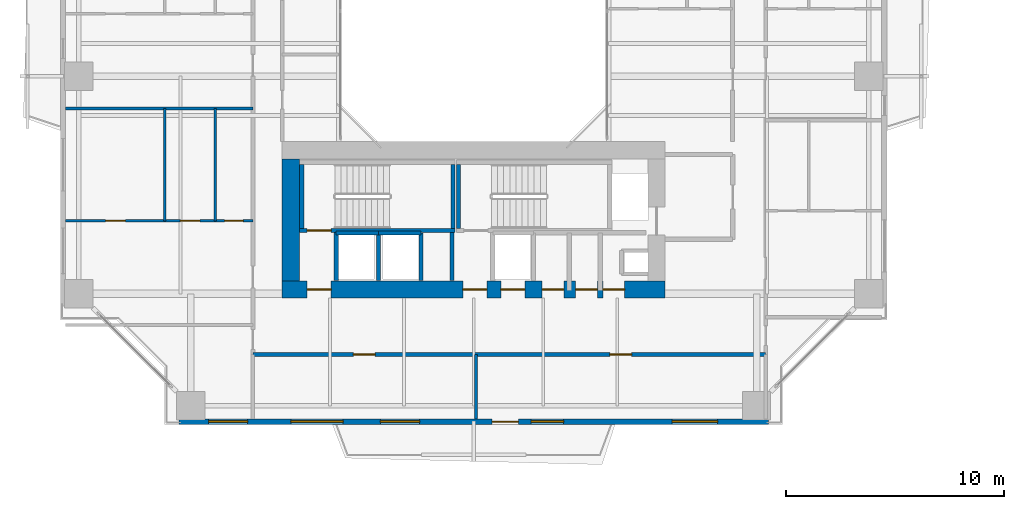
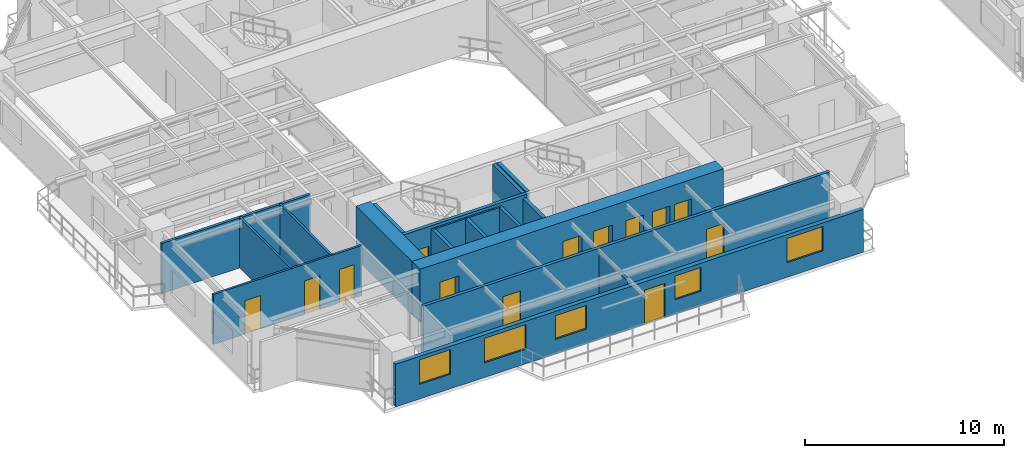
# One storey, part 12 of 24: 19 walls, 13 doors, 5 windows, 18 openings.
"""IFC4 building model written with IfcOpenShell, lengths in metres."""

from ifc_helpers import new_model, si_unit, direction, frame, frame_2d, origin, place, context, subcontext, project, spatial, rectangle, extrude, source, transform, mapped, material, layer, layer_set, type_object, element, fill, save


model = new_model("IFC4")

# Units and contexts
model_context = context("Model", 3, precision=1e-05, world=origin(), true_north=direction((0.0, 1.0)))
body_context = subcontext(model_context, "Body", "Model", "MODEL_VIEW")
ifc_project = project(units=[si_unit("LENGTHUNIT", "METRE"), si_unit("AREAUNIT", "SQUARE_METRE"), si_unit("VOLUMEUNIT", "CUBIC_METRE"), si_unit("PLANEANGLEUNIT", "RADIAN"), si_unit("MASSUNIT", "GRAM", prefix="KILO"), si_unit("THERMODYNAMICTEMPERATUREUNIT", "KELVIN"), si_unit("POWERUNIT", "WATT")], contexts=[model_context])

# Site, building, storey
site_placement = place(None, origin())
site = spatial("IfcSite", under=ifc_project, at=site_placement, CompositionType="ELEMENT")
building_placement = place(site_placement, origin())
building = spatial("IfcBuilding", under=site, at=building_placement, Name="Qiaomeng Ring Towers", CompositionType="ELEMENT")
storey_placement = place(building_placement, frame((0.0, 0.0, 36.0)))
storey = spatial("IfcBuildingStorey", under=building, at=storey_placement, Name="L09", CompositionType="ELEMENT", Elevation=36.0)

# Wall, openings, windows, door
ifc_material_1 = material(Name="Precast concrete C40", Category="concrete")
ifc_layer_1 = layer(ifc_material_1, 0.25, Name="Precast concrete C40")
ifc_layer_set_1 = layer_set([ifc_layer_1], Name="Precast concrete C40")
wall_type_1 = type_object("IfcWallType", Name="ARC-WL-EW1", PredefinedType="STANDARD", material=ifc_layer_set_1)
wall_1_placement = place(storey_placement, frame((5.449951171875, 4.125, 0.0), z_axis=(0.0, 0.0, 1.0), x_axis=(1.0, 0.0, 0.0)))
wall_1 = element("IfcWall", 1, at=wall_1_placement, inside=storey, type_object=wall_type_1, Name="L09 Tower 1 S Exterior Wall", PredefinedType="STANDARD", context=body_context, shape_type="SweptSolid", body=[
    extrude(rectangle(XDim=27.10009765625, YDim=0.25, at=frame_2d((13.550048828125, 0.0))), origin(), (0.0, 0.0, 1.0), 2.610107421875),
])
opening_1_placement = place(wall_1_placement, frame((14.39990234375, 0.0, 0.0)))
opening_1 = element("IfcOpeningElement", 2, at=opening_1_placement, cuts=wall_1, Name="Opening BD1", PredefinedType="OPENING", context=body_context, shape_type="SweptSolid", body=[
    extrude(rectangle(XDim=1.199951171875, YDim=2.10009765625, at=frame_2d((0.60009765625, 1.050048828125))), frame((0.0, 0.135009765625, 0.0), z_axis=(0.0, -1.0, 0.0), x_axis=(1.0, 0.0, 0.0)), (0.0, 0.0, 1.0), 0.27001953125),
])
opening_2_placement = place(wall_1_placement, frame((1.364990234375, 0.0, 0.89990234375)))
opening_2 = element("IfcOpeningElement", 3, at=opening_2_placement, cuts=wall_1, Name="Opening WN1", PredefinedType="OPENING", context=body_context, shape_type="SweptSolid", body=[
    extrude(rectangle(XDim=1.800048828125, YDim=1.5, at=frame_2d((0.89990234375, 0.75))), frame((0.0, 0.135009765625, 0.0), z_axis=(0.0, -1.0, 0.0), x_axis=(1.0, 0.0, 0.0)), (0.0, 0.0, 1.0), 0.27001953125),
])
opening_3_placement = place(wall_1_placement, frame((9.262939453125, 0.0, 0.89990234375)))
opening_3 = element("IfcOpeningElement", 4, at=opening_3_placement, cuts=wall_1, Name="Opening WN1", PredefinedType="OPENING", context=body_context, shape_type="SweptSolid", body=[
    extrude(rectangle(XDim=1.800048828125, YDim=1.449951171875, at=frame_2d((0.89990234375, 0.72509765625))), frame((0.0, 0.135009765625, 0.0), z_axis=(0.0, -1.0, 0.0), x_axis=(1.0, 0.0, 0.0)), (0.0, 0.0, 1.0), 0.27001953125),
])
opening_4_placement = place(wall_1_placement, frame((16.18798828125, 0.0, 0.89990234375)))
opening_4 = element("IfcOpeningElement", 5, at=opening_4_placement, cuts=wall_1, Name="Opening WN2", PredefinedType="OPENING", context=body_context, shape_type="SweptSolid", body=[
    extrude(rectangle(XDim=1.5, YDim=1.449951171875, at=frame_2d((0.75, 0.72509765625))), frame((0.0, 0.135009765625, 0.0), z_axis=(0.0, -1.0, 0.0), x_axis=(1.0, 0.0, 0.0)), (0.0, 0.0, 1.0), 0.27001953125),
])
opening_5_placement = place(wall_1_placement, frame((22.6630859375, 0.0, 0.89990234375)))
opening_5 = element("IfcOpeningElement", 6, at=opening_5_placement, cuts=wall_1, Name="Opening WN4", PredefinedType="OPENING", context=body_context, shape_type="SweptSolid", body=[
    extrude(rectangle(XDim=2.10009765625, YDim=1.47998046875, at=frame_2d((1.050048828125, 0.739990234375))), frame((0.0, 0.135009765625, 0.0), z_axis=(0.0, -1.0, 0.0), x_axis=(1.0, 0.0, 0.0)), (0.0, 0.0, 1.0), 0.27001953125),
])
opening_6_placement = place(wall_1_placement, frame((5.14892578125, 0.0, 0.89990234375)))
opening_6 = element("IfcOpeningElement", 7, at=opening_6_placement, cuts=wall_1, Name="Opening WN6", PredefinedType="OPENING", context=body_context, shape_type="SweptSolid", body=[
    extrude(rectangle(XDim=2.39990234375, YDim=1.5, at=frame_2d((1.199951171875, 0.75))), frame((0.0, 0.135009765625, 0.0), z_axis=(0.0, -1.0, 0.0), x_axis=(1.0, 0.0, 0.0)), (0.0, 0.0, 1.0), 0.27001953125),
])
ifc_material_2 = material(Name="Low-E dark-grey laminated double glazing", Category="glass")
window_type_1 = type_object("IfcWindowType", Name="ARC-WN-2", PartitioningType="DOUBLE_PANEL_VERTICAL", PredefinedType="WINDOW", material=ifc_material_2)
shared_shape_1 = source(origin(), body_context, "Body", "SweptSolid", [
    extrude(rectangle(XDim=1.5, YDim=1.449951171875, at=frame_2d((0.75, 0.72509765625))), frame((0.0, 0.030029296875, 0.0), z_axis=(0.0, -1.0, 0.0), x_axis=(1.0, 0.0, 0.0)), (0.0, 0.0, 1.0), 0.06005859375),
])
window_1_placement = place(opening_4_placement, origin())
window_1 = element("IfcWindow", 8, at=window_1_placement, inside=storey, type_object=window_type_1, Name="L09 Exterior Window WN2", OverallHeight=1.449951171875, OverallWidth=1.5, PartitioningType="DOUBLE_PANEL_VERTICAL", PredefinedType="WINDOW", context=body_context, shape_type="MappedRepresentation", body=[
    mapped(shared_shape_1, transform((0.0, 0.0, 0.0), x_axis=(1.0, 0.0, 0.0), y_axis=(0.0, 1.0, 0.0), z_axis=(0.0, 0.0, 1.0), scale=1.0)),
])
fill(opening_4, window_1)
window_type_2 = type_object("IfcWindowType", Name="ARC-WN-4", PartitioningType="TRIPLE_PANEL_VERTICAL", PredefinedType="WINDOW", material=ifc_material_2)
shared_shape_2 = source(origin(), body_context, "Body", "SweptSolid", [
    extrude(rectangle(XDim=2.10009765625, YDim=1.47998046875, at=frame_2d((1.050048828125, 0.739990234375))), frame((0.0, 0.030029296875, 0.0), z_axis=(0.0, -1.0, 0.0), x_axis=(1.0, 0.0, 0.0)), (0.0, 0.0, 1.0), 0.06005859375),
])
window_2_placement = place(opening_5_placement, origin())
window_2 = element("IfcWindow", 9, at=window_2_placement, inside=storey, type_object=window_type_2, Name="L09 Exterior Window WN4", OverallHeight=1.47998046875, OverallWidth=2.10009765625, PartitioningType="TRIPLE_PANEL_VERTICAL", PredefinedType="WINDOW", context=body_context, shape_type="MappedRepresentation", body=[
    mapped(shared_shape_2, transform((0.0, 0.0, 0.0), x_axis=(1.0, 0.0, 0.0), y_axis=(0.0, 1.0, 0.0), z_axis=(0.0, 0.0, 1.0), scale=1.0)),
])
fill(opening_5, window_2)
window_type_3 = type_object("IfcWindowType", Name="ARC-WN-1", PartitioningType="DOUBLE_PANEL_VERTICAL", PredefinedType="WINDOW", material=ifc_material_2)
shared_shape_3 = source(origin(), body_context, "Body", "SweptSolid", [
    extrude(rectangle(XDim=1.800048828125, YDim=1.449951171875, at=frame_2d((0.89990234375, 0.72509765625))), frame((0.0, 0.030029296875, 0.0), z_axis=(0.0, -1.0, 0.0), x_axis=(1.0, 0.0, 0.0)), (0.0, 0.0, 1.0), 0.06005859375),
])
window_3_placement = place(opening_3_placement, origin())
window_3 = element("IfcWindow", 10, at=window_3_placement, inside=storey, type_object=window_type_3, Name="L09 Exterior Window WN1", OverallHeight=1.449951171875, OverallWidth=1.800048828125, PartitioningType="DOUBLE_PANEL_VERTICAL", PredefinedType="WINDOW", context=body_context, shape_type="MappedRepresentation", body=[
    mapped(shared_shape_3, transform((0.0, 0.0, 0.0), x_axis=(1.0, 0.0, 0.0), y_axis=(0.0, 1.0, 0.0), z_axis=(0.0, 0.0, 1.0), scale=1.0)),
])
fill(opening_3, window_3)
door_type_1 = type_object("IfcDoorType", Name="ARC-DR-BD1", OperationType="NOTDEFINED", PredefinedType="DOOR", material=ifc_material_2)
shared_shape_4 = source(origin(), body_context, "Body", "SweptSolid", [
    extrude(rectangle(XDim=1.199951171875, YDim=2.10009765625, at=frame_2d((0.60009765625, 1.050048828125))), frame((0.0, 0.02490234375, 0.0), z_axis=(0.0, -1.0, 0.0), x_axis=(1.0, 0.0, 0.0)), (0.0, 0.0, 1.0), 0.050048828125),
])
door_1_placement = place(opening_1_placement, frame((1.199951171875, 0.0, 0.0), z_axis=(0.0, 0.0, 1.0), x_axis=(-1.0, 0.0, 0.0)))
door_1 = element("IfcDoor", 11, at=door_1_placement, inside=storey, type_object=door_type_1, Name="L09 S Balcony Glazed Door", OperationType="SINGLE_SWING_LEFT", OverallHeight=2.10009765625, OverallWidth=1.199951171875, PredefinedType="DOOR", context=body_context, shape_type="MappedRepresentation", body=[
    mapped(shared_shape_4, transform((0.0, 0.0, 0.0), x_axis=(1.0, 0.0, 0.0), y_axis=(0.0, 1.0, 0.0), z_axis=(0.0, 0.0, 1.0), scale=1.0)),
])
fill(opening_1, door_1)
window_type_4 = type_object("IfcWindowType", Name="ARC-WN-6", PartitioningType="TRIPLE_PANEL_VERTICAL", PredefinedType="WINDOW", material=ifc_material_2)
shared_shape_5 = source(origin(), body_context, "Body", "SweptSolid", [
    extrude(rectangle(XDim=2.39990234375, YDim=1.5, at=frame_2d((1.199951171875, 0.75))), frame((0.0, 0.030029296875, 0.0), z_axis=(0.0, -1.0, 0.0), x_axis=(1.0, 0.0, 0.0)), (0.0, 0.0, 1.0), 0.06005859375),
])
window_4_placement = place(opening_6_placement, origin())
window_4 = element("IfcWindow", 12, at=window_4_placement, inside=storey, type_object=window_type_4, Name="L09 Exterior Window WN6", OverallHeight=1.5, OverallWidth=2.39990234375, PartitioningType="TRIPLE_PANEL_VERTICAL", PredefinedType="WINDOW", context=body_context, shape_type="MappedRepresentation", body=[
    mapped(shared_shape_5, transform((0.0, 0.0, 0.0), x_axis=(1.0, 0.0, 0.0), y_axis=(0.0, 1.0, 0.0), z_axis=(0.0, 0.0, 1.0), scale=1.0)),
])
fill(opening_6, window_4)
shared_shape_6 = source(origin(), body_context, "Body", "SweptSolid", [
    extrude(rectangle(XDim=1.800048828125, YDim=1.5, at=frame_2d((0.89990234375, 0.75))), frame((0.0, 0.030029296875, 0.0), z_axis=(0.0, -1.0, 0.0), x_axis=(1.0, 0.0, 0.0)), (0.0, 0.0, 1.0), 0.06005859375),
])
window_5_placement = place(opening_2_placement, origin())
window_5 = element("IfcWindow", 13, at=window_5_placement, inside=storey, type_object=window_type_3, Name="L09 Exterior Window WN6", OverallHeight=1.5, OverallWidth=1.800048828125, PartitioningType="TRIPLE_PANEL_VERTICAL", PredefinedType="WINDOW", context=body_context, shape_type="MappedRepresentation", body=[
    mapped(shared_shape_6, transform((0.0, 0.0, 0.0), x_axis=(1.0, 0.0, 0.0), y_axis=(0.0, 1.0, 0.0), z_axis=(0.0, 0.0, 1.0), scale=1.0)),
])
fill(opening_2, window_5)

# Walls
ifc_material_3 = material(Name="Autoclaved aerated concrete block", Category="concrete")
ifc_layer_2 = layer(ifc_material_3, 0.199951171875, Name="Autoclaved aerated concrete block")
ifc_layer_set_2 = layer_set([ifc_layer_2], Name="Autoclaved aerated concrete block")
wall_type_2 = type_object("IfcWallType", Name="ARC-WL-PW1", PredefinedType="PARTITIONING", material=ifc_layer_set_2)
for number, where, z_axis, x_axis, name in (
    (14, (12.679931640625, 10.60009765625, 0.0), (0.0, 0.0, 1.0), (0.0, 1.0, 0.0), "L09 Interior Wall PW1"),
    (15, (18.0, 10.60009765625, 0.0), (0.0, 0.0, 1.0), (0.0, 1.0, 0.0), "L09 Interior Wall PW1"),
):
    element("IfcWall", number, at=place(storey_placement, frame(where, z_axis=z_axis, x_axis=x_axis)), inside=storey, type_object=wall_type_2, Name=name, PredefinedType="PARTITIONING", context=body_context, shape_type="SweptSolid", body=[
        extrude(rectangle(XDim=2.2099609375, YDim=0.199951171875, at=frame_2d((1.10498046875, 0.0))), origin(), (0.0, 0.0, 1.0), 3.070068359375),
    ])

# Wall, openings, doors
ifc_layer_3 = layer(ifc_material_3, 0.179931640625, Name="Autoclaved aerated concrete block")
ifc_layer_set_3 = layer_set([ifc_layer_3], Name="Autoclaved aerated concrete block")
wall_type_3 = type_object("IfcWallType", Name="ARC-WL-PW2", PredefinedType="PARTITIONING", material=ifc_layer_set_3)
wall_2_placement = place(storey_placement, frame((8.85009765625, 7.2099609375, 0.0), z_axis=(0.0, 0.0, 1.0), x_axis=(1.0, 0.0, 0.0)))
wall_2 = element("IfcWall", 16, at=wall_2_placement, inside=storey, type_object=wall_type_3, Name="L09 Interior Wall PW2", PredefinedType="PARTITIONING", context=body_context, shape_type="SweptSolid", body=[
    extrude(rectangle(XDim=23.56982421875, YDim=0.179931640625, at=frame_2d((11.784912109375, 0.0))), origin(), (0.0, 0.0, 1.0), 3.070068359375),
])
opening_7_placement = place(wall_2_placement, frame((4.625, 0.0, 0.0)))
opening_7 = element("IfcOpeningElement", 17, at=opening_7_placement, cuts=wall_2, Name="Opening FD4", PredefinedType="OPENING", context=body_context, shape_type="SweptSolid", body=[
    extrude(rectangle(XDim=1.0, YDim=2.050048828125, at=frame_2d((0.5, 1.02490234375))), frame((0.0, 0.099853515625, 0.0), z_axis=(0.0, -1.0, 0.0), x_axis=(1.0, 0.0, 0.0)), (0.0, 0.0, 1.0), 0.199951171875),
])
opening_8_placement = place(wall_2_placement, frame((16.409912109375, 0.0, 0.0)))
opening_8 = element("IfcOpeningElement", 18, at=opening_8_placement, cuts=wall_2, Name="Opening FD4", PredefinedType="OPENING", context=body_context, shape_type="SweptSolid", body=[
    extrude(rectangle(XDim=1.0, YDim=2.050048828125, at=frame_2d((0.5, 1.02490234375))), frame((0.0, 0.099853515625, 0.0), z_axis=(0.0, -1.0, 0.0), x_axis=(1.0, 0.0, 0.0)), (0.0, 0.0, 1.0), 0.199951171875),
])
ifc_material_4 = material(Name="Engineered fire-rated oak timber", Category="wood")
door_type_2 = type_object("IfcDoorType", Name="ARC-DR-FD4", OperationType="NOTDEFINED", PredefinedType="DOOR", material=ifc_material_4)
shared_shape_7 = source(origin(), body_context, "Body", "SweptSolid", [
    extrude(rectangle(XDim=1.0, YDim=2.050048828125, at=frame_2d((0.5, 1.02490234375))), frame((0.0, 0.02490234375, 0.0), z_axis=(0.0, -1.0, 0.0), x_axis=(1.0, 0.0, 0.0)), (0.0, 0.0, 1.0), 0.050048828125),
])
door_2_placement = place(opening_7_placement, origin())
door_2 = element("IfcDoor", 19, at=door_2_placement, inside=storey, type_object=door_type_2, Name="L09 Door FD4", OperationType="SINGLE_SWING_RIGHT", OverallHeight=2.050048828125, OverallWidth=1.0, PredefinedType="DOOR", context=body_context, shape_type="MappedRepresentation", body=[
    mapped(shared_shape_7, transform((0.0, 0.0, 0.0), x_axis=(1.0, 0.0, 0.0), y_axis=(0.0, 1.0, 0.0), z_axis=(0.0, 0.0, 1.0), scale=1.0)),
])
fill(opening_7, door_2)
door_3_placement = place(opening_8_placement, origin())
door_3 = element("IfcDoor", 20, at=door_3_placement, inside=storey, type_object=door_type_2, Name="L09 Door FD4", OperationType="SINGLE_SWING_LEFT", OverallHeight=2.050048828125, OverallWidth=1.0, PredefinedType="DOOR", context=body_context, shape_type="MappedRepresentation", body=[
    mapped(shared_shape_7, transform((0.0, 0.0, 0.0), x_axis=(1.0, 0.0, 0.0), y_axis=(0.0, 1.0, 0.0), z_axis=(0.0, 0.0, 1.0), scale=1.0)),
])
fill(opening_8, door_3)

# Walls
ifc_material_5 = material(Name="Gypsum fireboard steel-stud partition", Category="steel")
ifc_layer_4 = layer(ifc_material_5, 0.14990234375, Name="Gypsum fireboard steel-stud partition")
ifc_layer_set_4 = layer_set([ifc_layer_4], Name="Gypsum fireboard steel-stud partition")
wall_type_4 = type_object("IfcWallType", Name="ARC-WL-PW3", PredefinedType="PARTITIONING", material=ifc_layer_set_4)
wall_3_placement = place(storey_placement, frame((19.10009765625, 4.25, 0.0), z_axis=(0.0, 0.0, 1.0), x_axis=(0.0, 1.0, 0.0)))
element("IfcWall", 21, at=wall_3_placement, inside=storey, type_object=wall_type_4, Name="L09 Interior Wall PW3", PredefinedType="PARTITIONING", context=body_context, shape_type="SweptSolid", body=[
    extrude(rectangle(XDim=2.9599609375, YDim=0.14990234375, at=frame_2d((1.47998046875, 0.0))), origin(), (0.0, 0.0, 1.0), 2.81494140625),
])
wall_4_placement = place(storey_placement, frame((0.25, 18.52001953125, 0.0), z_axis=(0.0, 0.0, 1.0), x_axis=(1.0, 0.0, 0.0)))
element("IfcWall", 22, at=wall_4_placement, inside=storey, type_object=wall_type_4, Name="L09 Interior Wall PW3", PredefinedType="PARTITIONING", context=body_context, shape_type="SweptSolid", body=[
    extrude(rectangle(XDim=8.60009765625, YDim=0.14990234375, at=frame_2d((4.300048828125, 0.0))), origin(), (0.0, 0.0, 1.0), 3.070068359375),
])

# Wall, openings, doors
ifc_material_6 = material(Name="Moisture-resistant gypsum steel-stud partition", Category="steel")
ifc_layer_5 = layer(ifc_material_6, 0.1201171875, Name="Moisture-resistant gypsum steel-stud partition")
ifc_layer_set_5 = layer_set([ifc_layer_5], Name="Moisture-resistant gypsum steel-stud partition")
wall_type_5 = type_object("IfcWallType", Name="ARC-WL-PW4", PredefinedType="PLUMBINGWALL", material=ifc_layer_set_5)
wall_5_placement = place(storey_placement, frame((0.25, 13.35009765625, 0.0), z_axis=(0.0, 0.0, 1.0), x_axis=(1.0, 0.0, 0.0)))
wall_5 = element("IfcWall", 23, at=wall_5_placement, inside=storey, type_object=wall_type_5, Name="L09 Interior Wall PW4", PredefinedType="PLUMBINGWALL", context=body_context, shape_type="SweptSolid", body=[
    extrude(rectangle(XDim=8.60009765625, YDim=0.1201171875, at=frame_2d((4.300048828125, 0.0))), origin(), (0.0, 0.0, 1.0), 3.070068359375),
])
opening_9_placement = place(wall_5_placement, frame((1.840087890625, 0.0, 0.0)))
opening_9 = element("IfcOpeningElement", 24, at=opening_9_placement, cuts=wall_5, Name="Opening ID1", PredefinedType="OPENING", context=body_context, shape_type="SweptSolid", body=[
    extrude(rectangle(XDim=0.89990234375, YDim=2.050048828125, at=frame_2d((0.449951171875, 1.02490234375))), frame((0.0, 0.070068359375, 0.0), z_axis=(0.0, -1.0, 0.0), x_axis=(1.0, 0.0, 0.0)), (0.0, 0.0, 1.0), 0.14013671875),
])
opening_10_placement = place(wall_5_placement, frame((5.27001953125, 0.0, 0.0)))
opening_10 = element("IfcOpeningElement", 25, at=opening_10_placement, cuts=wall_5, Name="Opening ID1", PredefinedType="OPENING", context=body_context, shape_type="SweptSolid", body=[
    extrude(rectangle(XDim=0.89990234375, YDim=2.050048828125, at=frame_2d((0.449951171875, 1.02490234375))), frame((0.0, 0.070068359375, 0.0), z_axis=(0.0, -1.0, 0.0), x_axis=(1.0, 0.0, 0.0)), (0.0, 0.0, 1.0), 0.14013671875),
])
opening_11_placement = place(wall_5_placement, frame((7.304931640625, 0.0, 0.0)))
opening_11 = element("IfcOpeningElement", 26, at=opening_11_placement, cuts=wall_5, Name="Opening ID2", PredefinedType="OPENING", context=body_context, shape_type="SweptSolid", body=[
    extrude(rectangle(XDim=0.85009765625, YDim=2.050048828125, at=frame_2d((0.425048828125, 1.02490234375))), frame((0.0, 0.070068359375, 0.0), z_axis=(0.0, -1.0, 0.0), x_axis=(1.0, 0.0, 0.0)), (0.0, 0.0, 1.0), 0.14013671875),
])
ifc_material_7 = material(Name="Moisture-resistant engineered timber", Category="wood")
door_type_3 = type_object("IfcDoorType", Name="ARC-DR-ID2", OperationType="NOTDEFINED", PredefinedType="DOOR", material=ifc_material_7)
shared_shape_8 = source(origin(), body_context, "Body", "SweptSolid", [
    extrude(rectangle(XDim=0.85009765625, YDim=2.050048828125, at=frame_2d((0.425048828125, 1.02490234375))), frame((0.0, 0.02490234375, 0.0), z_axis=(0.0, -1.0, 0.0), x_axis=(1.0, 0.0, 0.0)), (0.0, 0.0, 1.0), 0.050048828125),
])
door_4_placement = place(opening_11_placement, origin())
door_4 = element("IfcDoor", 27, at=door_4_placement, inside=storey, type_object=door_type_3, Name="L09 Door ID2", OperationType="SINGLE_SWING_RIGHT", OverallHeight=2.050048828125, OverallWidth=0.85009765625, PredefinedType="DOOR", context=body_context, shape_type="MappedRepresentation", body=[
    mapped(shared_shape_8, transform((0.0, 0.0, 0.0), x_axis=(1.0, 0.0, 0.0), y_axis=(0.0, 1.0, 0.0), z_axis=(0.0, 0.0, 1.0), scale=1.0)),
])
fill(opening_11, door_4)
ifc_material_8 = material(Name="Engineered oak timber", Category="wood")
door_type_4 = type_object("IfcDoorType", Name="ARC-DR-ID1", OperationType="NOTDEFINED", PredefinedType="DOOR", material=ifc_material_8)
shared_shape_9 = source(origin(), body_context, "Body", "SweptSolid", [
    extrude(rectangle(XDim=0.89990234375, YDim=2.050048828125, at=frame_2d((0.449951171875, 1.02490234375))), frame((0.0, 0.02490234375, 0.0), z_axis=(0.0, -1.0, 0.0), x_axis=(1.0, 0.0, 0.0)), (0.0, 0.0, 1.0), 0.050048828125),
])
door_5_placement = place(opening_9_placement, origin())
door_5 = element("IfcDoor", 28, at=door_5_placement, inside=storey, type_object=door_type_4, Name="L09 Door ID1", OperationType="SINGLE_SWING_RIGHT", OverallHeight=2.050048828125, OverallWidth=0.89990234375, PredefinedType="DOOR", context=body_context, shape_type="MappedRepresentation", body=[
    mapped(shared_shape_9, transform((0.0, 0.0, 0.0), x_axis=(1.0, 0.0, 0.0), y_axis=(0.0, 1.0, 0.0), z_axis=(0.0, 0.0, 1.0), scale=1.0)),
])
fill(opening_9, door_5)
door_6_placement = place(opening_10_placement, origin())
door_6 = element("IfcDoor", 29, at=door_6_placement, inside=storey, type_object=door_type_4, Name="L09 Door ID1", OperationType="SINGLE_SWING_LEFT", OverallHeight=2.050048828125, OverallWidth=0.89990234375, PredefinedType="DOOR", context=body_context, shape_type="MappedRepresentation", body=[
    mapped(shared_shape_9, transform((0.0, 0.0, 0.0), x_axis=(1.0, 0.0, 0.0), y_axis=(0.0, 1.0, 0.0), z_axis=(0.0, 0.0, 1.0), scale=1.0)),
])
fill(opening_10, door_6)

# Walls
for number, where, z_axis, x_axis, name in (
    (30, (4.81005859375, 13.35009765625, 0.0), (0.0, 0.0, 1.0), (0.0, 1.0, 0.0), "L09 Interior Wall PW4"),
    (31, (7.1298828125, 13.35009765625, 0.0), (0.0, 0.0, 1.0), (0.0, 1.0, 0.0), "L09 Interior Wall PW4"),
):
    element("IfcWall", number, at=place(storey_placement, frame(where, z_axis=z_axis, x_axis=x_axis)), inside=storey, type_object=wall_type_5, Name=name, PredefinedType="PLUMBINGWALL", context=body_context, shape_type="SweptSolid", body=[
        extrude(rectangle(XDim=5.169921875, YDim=0.1201171875, at=frame_2d((2.5849609375, 0.0))), origin(), (0.0, 0.0, 1.0), 3.070068359375),
    ])
ifc_material_9 = material(Name="Concrete C40", Category="concrete")
ifc_layer_6 = layer(ifc_material_9, 0.199951171875, Name="Concrete C40")
ifc_layer_set_6 = layer_set([ifc_layer_6], Name="Concrete C40")
wall_type_6 = type_object("IfcWallType", Name="STR-WL-STSHAFT", PredefinedType="SHEAR", material=ifc_layer_set_6)
wall_6_placement = place(storey_placement, frame((12.679931640625, 12.800048828125, 0.0), z_axis=(0.0, 0.0, 1.0), x_axis=(1.0, 0.0, 0.0)))
element("IfcWall", 32, at=wall_6_placement, inside=storey, type_object=wall_type_6, Name="L09 Lift LP6 Shaft Back Wall", PredefinedType="SHEAR", context=body_context, shape_type="SweptSolid", body=[
    extrude(rectangle(XDim=1.940185546875, YDim=0.179931640625, at=frame_2d((0.97021484375, 0.0))), origin(), (0.0, 0.0, 1.0), 3.070068359375),
])
wall_7_placement = place(storey_placement, frame((14.6201171875, 10.60009765625, 0.0), z_axis=(0.0, 0.0, 1.0), x_axis=(0.0, 1.0, 0.0)))
element("IfcWall", 33, at=wall_7_placement, inside=storey, type_object=wall_type_6, Name="L09 Lift LP6-LP4 Shaft Divider Wall", PredefinedType="SHEAR", context=body_context, shape_type="SweptSolid", body=[
    extrude(rectangle(XDim=2.199951171875, YDim=0.179931640625, at=frame_2d((1.10009765625, 0.0))), origin(), (0.0, 0.0, 1.0), 3.070068359375),
])
wall_8_placement = place(storey_placement, frame((14.6201171875, 12.800048828125, 0.0), z_axis=(0.0, 0.0, 1.0), x_axis=(1.0, 0.0, 0.0)))
element("IfcWall", 34, at=wall_8_placement, inside=storey, type_object=wall_type_6, Name="L09 Lift LP4 Shaft Back Wall", PredefinedType="SHEAR", context=body_context, shape_type="SweptSolid", body=[
    extrude(rectangle(XDim=1.9599609375, YDim=0.179931640625, at=frame_2d((0.97998046875, 0.0))), origin(), (0.0, 0.0, 1.0), 3.070068359375),
])
wall_9_placement = place(storey_placement, frame((16.580078125, 10.60009765625, 0.0), z_axis=(0.0, 0.0, 1.0), x_axis=(0.0, 1.0, 0.0)))
element("IfcWall", 35, at=wall_9_placement, inside=storey, type_object=wall_type_6, Name="L09 Lift LP4 East Shaft Wall", PredefinedType="SHEAR", context=body_context, shape_type="SweptSolid", body=[
    extrude(rectangle(XDim=2.199951171875, YDim=0.179931640625, at=frame_2d((1.10009765625, 0.0))), origin(), (0.0, 0.0, 1.0), 3.070068359375),
])

# Wall, opening, door
wall_10_placement = place(storey_placement, frame((11.0, 12.909912109375, 0.0), z_axis=(0.0, 0.0, 1.0), x_axis=(1.0, 0.0, 0.0)))
wall_10 = element("IfcWall", 36, at=wall_10_placement, inside=storey, type_object=wall_type_6, Name="L09 Stair ST3 South Shaft Shear Wall", PredefinedType="SHEAR", context=body_context, shape_type="SweptSolid", body=[
    extrude(rectangle(XDim=7.14990234375, YDim=0.199951171875, at=frame_2d((3.574951171875, 0.0))), origin(), (0.0, 0.0, 1.0), 3.25),
])
opening_12_placement = place(wall_10_placement, frame((0.35009765625, 0.0, 0.0)))
opening_12 = element("IfcOpeningElement", 37, at=opening_12_placement, cuts=wall_10, Name="Opening FD3", PredefinedType="OPENING", context=body_context, shape_type="SweptSolid", body=[
    extrude(rectangle(XDim=1.10009765625, YDim=2.050048828125, at=frame_2d((0.550048828125, 1.02490234375))), frame((0.0, 0.10986328125, 0.0), z_axis=(0.0, -1.0, 0.0), x_axis=(1.0, 0.0, 0.0)), (0.0, 0.0, 1.0), 0.219970703125),
])
ifc_material_10 = material(Name="Galvanised steel", Category="steel")
door_type_5 = type_object("IfcDoorType", Name="ARC-DR-FD3", OperationType="NOTDEFINED", PredefinedType="DOOR", material=ifc_material_10)
shared_shape_10 = source(origin(), body_context, "Body", "SweptSolid", [
    extrude(rectangle(XDim=1.10009765625, YDim=2.050048828125, at=frame_2d((0.550048828125, 1.02490234375))), frame((0.0, 0.02490234375, 0.0), z_axis=(0.0, -1.0, 0.0), x_axis=(1.0, 0.0, 0.0)), (0.0, 0.0, 1.0), 0.050048828125),
])
door_7_placement = place(opening_12_placement, frame((1.10009765625, 0.0, 0.0), z_axis=(0.0, 0.0, 1.0), x_axis=(-1.0, 0.0, 0.0)))
door_7 = element("IfcDoor", 38, at=door_7_placement, inside=storey, type_object=door_type_5, Name="L09 Stair ST3 Exit Door", OperationType="SINGLE_SWING_LEFT", OverallHeight=2.050048828125, OverallWidth=1.10009765625, PredefinedType="DOOR", context=body_context, shape_type="MappedRepresentation", body=[
    mapped(shared_shape_10, transform((0.0, 0.0, 0.0), x_axis=(1.0, 0.0, 0.0), y_axis=(0.0, 1.0, 0.0), z_axis=(0.0, 0.0, 1.0), scale=1.0)),
])
fill(opening_12, door_7)

# Walls
for number, where, z_axis, x_axis, name in (
    (39, (11.10009765625, 13.010009765625, 0.0), (0.0, 0.0, 1.0), (0.0, 1.0, 0.0), "L09 Stair ST3 West Shaft Shear Wall"),
    (40, (18.050048828125, 13.010009765625, 0.0), (0.0, 0.0, 1.0), (0.0, 1.0, 0.0), "L09 Stair ST3 East Shaft Shear Wall"),
    (41, (18.300048828125, 13.010009765625, 0.0), (0.0, 0.0, 1.0), (0.0, 1.0, 0.0), "L09 Stair ST4 West Shaft Shear Wall"),
):
    element("IfcWall", number, at=place(storey_placement, frame(where, z_axis=z_axis, x_axis=x_axis)), inside=storey, type_object=wall_type_6, Name=name, PredefinedType="SHEAR", context=body_context, shape_type="SweptSolid", body=[
        extrude(rectangle(XDim=2.93994140625, YDim=0.199951171875, at=frame_2d((1.469970703125, 0.0))), origin(), (0.0, 0.0, 1.0), 3.25),
    ])

# Wall, openings, doors
ifc_material_11 = material(Name="Concrete C60", Category="concrete")
ifc_layer_7 = layer(ifc_material_11, 0.800048828125, Name="Concrete C60")
ifc_layer_set_7 = layer_set([ifc_layer_7], Name="Concrete C60")
wall_type_7 = type_object("IfcWallType", Name="STR-WL-SW1", PredefinedType="SHEAR", material=ifc_layer_set_7)
wall_11_placement = place(storey_placement, frame((10.199951171875, 10.199951171875, 0.0), z_axis=(0.0, 0.0, 1.0), x_axis=(1.0, 0.0, 0.0)))
wall_11 = element("IfcWall", 42, at=wall_11_placement, inside=storey, type_object=wall_type_7, Name="L09 T1SC south core shear wall", PredefinedType="SHEAR", context=body_context, shape_type="SweptSolid", body=[
    extrude(rectangle(XDim=17.60009765625, YDim=0.800048828125, at=frame_2d((8.800048828125, 0.0))), origin(), (0.0, 0.0, 1.0), 3.25),
])
opening_13_placement = place(wall_11_placement, frame((1.14990234375, 0.0, 0.0)))
opening_13 = element("IfcOpeningElement", 43, at=opening_13_placement, cuts=wall_11, Name="Opening FD3", PredefinedType="OPENING", context=body_context, shape_type="SweptSolid", body=[
    extrude(rectangle(XDim=1.10009765625, YDim=2.050048828125, at=frame_2d((0.550048828125, 1.02490234375))), frame((0.0, 0.409912109375, 0.0), z_axis=(0.0, -1.0, 0.0), x_axis=(1.0, 0.0, 0.0)), (0.0, 0.0, 1.0), 0.820068359375),
])
opening_14_placement = place(wall_11_placement, frame((8.300048828125, 0.0, 0.0)))
opening_14 = element("IfcOpeningElement", 44, at=opening_14_placement, cuts=wall_11, Name="Opening FD3", PredefinedType="OPENING", context=body_context, shape_type="SweptSolid", body=[
    extrude(rectangle(XDim=1.10009765625, YDim=2.050048828125, at=frame_2d((0.550048828125, 1.02490234375))), frame((0.0, 0.409912109375, 0.0), z_axis=(0.0, -1.0, 0.0), x_axis=(1.0, 0.0, 0.0)), (0.0, 0.0, 1.0), 0.820068359375),
])
opening_15_placement = place(wall_11_placement, frame((10.050048828125, 0.0, 0.0)))
opening_15 = element("IfcOpeningElement", 45, at=opening_15_placement, cuts=wall_11, Name="Opening LD1", PredefinedType="OPENING", context=body_context, shape_type="SweptSolid", body=[
    extrude(rectangle(XDim=1.10009765625, YDim=2.050048828125, at=frame_2d((0.550048828125, 1.02490234375))), frame((0.0, 0.409912109375, 0.0), z_axis=(0.0, -1.0, 0.0), x_axis=(1.0, 0.0, 0.0)), (0.0, 0.0, 1.0), 0.820068359375),
])
opening_16_placement = place(wall_11_placement, frame((14.739990234375, 0.0, 0.0)))
opening_16 = element("IfcOpeningElement", 46, at=opening_16_placement, cuts=wall_11, Name="Opening FD1", PredefinedType="OPENING", context=body_context, shape_type="SweptSolid", body=[
    extrude(rectangle(XDim=1.0, YDim=2.050048828125, at=frame_2d((0.5, 1.02490234375))), frame((0.0, 0.409912109375, 0.0), z_axis=(0.0, -1.0, 0.0), x_axis=(1.0, 0.0, 0.0)), (0.0, 0.0, 1.0), 0.820068359375),
])
opening_17_placement = place(wall_11_placement, frame((11.945068359375, 0.0, 0.0)))
opening_17 = element("IfcOpeningElement", 47, at=opening_17_placement, cuts=wall_11, Name="Opening FD1", PredefinedType="OPENING", context=body_context, shape_type="SweptSolid", body=[
    extrude(rectangle(XDim=1.0, YDim=2.050048828125, at=frame_2d((0.5, 1.02490234375))), frame((0.0, 0.409912109375, 0.0), z_axis=(0.0, -1.0, 0.0), x_axis=(1.0, 0.0, 0.0)), (0.0, 0.0, 1.0), 0.820068359375),
])
opening_18_placement = place(wall_11_placement, frame((13.47998046875, 0.0, 0.0)))
opening_18 = element("IfcOpeningElement", 48, at=opening_18_placement, cuts=wall_11, Name="Opening FD1", PredefinedType="OPENING", context=body_context, shape_type="SweptSolid", body=[
    extrude(rectangle(XDim=1.0, YDim=2.050048828125, at=frame_2d((0.5, 1.02490234375))), frame((0.0, 0.409912109375, 0.0), z_axis=(0.0, -1.0, 0.0), x_axis=(1.0, 0.0, 0.0)), (0.0, 0.0, 1.0), 0.820068359375),
])
door_8_placement = place(opening_13_placement, origin())
door_8 = element("IfcDoor", 49, at=door_8_placement, inside=storey, type_object=door_type_5, Name="L09 Stair ST3 Lobby Door", OperationType="SINGLE_SWING_RIGHT", OverallHeight=2.050048828125, OverallWidth=1.10009765625, PredefinedType="DOOR", context=body_context, shape_type="MappedRepresentation", body=[
    mapped(shared_shape_10, transform((0.0, 0.0, 0.0), x_axis=(1.0, 0.0, 0.0), y_axis=(0.0, 1.0, 0.0), z_axis=(0.0, 0.0, 1.0), scale=1.0)),
])
fill(opening_13, door_8)
door_9_placement = place(opening_14_placement, origin())
door_9 = element("IfcDoor", 50, at=door_9_placement, inside=storey, type_object=door_type_5, Name="L09 Stair ST4 Lobby Door", OperationType="SINGLE_SWING_RIGHT", OverallHeight=2.050048828125, OverallWidth=1.10009765625, PredefinedType="DOOR", context=body_context, shape_type="MappedRepresentation", body=[
    mapped(shared_shape_10, transform((0.0, 0.0, 0.0), x_axis=(1.0, 0.0, 0.0), y_axis=(0.0, 1.0, 0.0), z_axis=(0.0, 0.0, 1.0), scale=1.0)),
])
fill(opening_14, door_9)
ifc_material_12 = material(Name="Stainless steel 316", Category="steel")
door_type_6 = type_object("IfcDoorType", Name="ARC-DR-LD1", OperationType="NOTDEFINED", PredefinedType="DOOR", material=ifc_material_12)
door_10_placement = place(opening_15_placement, origin())
door_10 = element("IfcDoor", 51, at=door_10_placement, inside=storey, type_object=door_type_6, Name="L09 Low-Zone Lift LP2 Landing Door", OperationType="SLIDING_TO_RIGHT", OverallHeight=2.050048828125, OverallWidth=1.10009765625, PredefinedType="DOOR", context=body_context, shape_type="MappedRepresentation", body=[
    mapped(shared_shape_10, transform((0.0, 0.0, 0.0), x_axis=(1.0, 0.0, 0.0), y_axis=(0.0, 1.0, 0.0), z_axis=(0.0, 0.0, 1.0), scale=1.0)),
])
fill(opening_15, door_10)
door_type_7 = type_object("IfcDoorType", Name="ARC-DR-FD1", OperationType="NOTDEFINED", PredefinedType="DOOR", material=ifc_material_10)
door_11_placement = place(opening_16_placement, origin())
door_11 = element("IfcDoor", 52, at=door_11_placement, inside=storey, type_object=door_type_7, Name="L09 South Electrical Riser Door", OperationType="SINGLE_SWING_LEFT", OverallHeight=2.050048828125, OverallWidth=1.0, PredefinedType="DOOR", context=body_context, shape_type="MappedRepresentation", body=[
    mapped(shared_shape_7, transform((0.0, 0.0, 0.0), x_axis=(1.0, 0.0, 0.0), y_axis=(0.0, 1.0, 0.0), z_axis=(0.0, 0.0, 1.0), scale=1.0)),
])
fill(opening_16, door_11)
door_12_placement = place(opening_17_placement, origin())
door_12 = element("IfcDoor", 53, at=door_12_placement, inside=storey, type_object=door_type_7, Name="L09 South Beverage Pantry Door", OperationType="SINGLE_SWING_LEFT", OverallHeight=2.050048828125, OverallWidth=1.0, PredefinedType="DOOR", context=body_context, shape_type="MappedRepresentation", body=[
    mapped(shared_shape_7, transform((0.0, 0.0, 0.0), x_axis=(1.0, 0.0, 0.0), y_axis=(0.0, 1.0, 0.0), z_axis=(0.0, 0.0, 1.0), scale=1.0)),
])
fill(opening_17, door_12)
door_13_placement = place(opening_18_placement, origin())
door_13 = element("IfcDoor", 54, at=door_13_placement, inside=storey, type_object=door_type_7, Name="L09 South Linen Store Door", OperationType="SINGLE_SWING_RIGHT", OverallHeight=2.050048828125, OverallWidth=1.0, PredefinedType="DOOR", context=body_context, shape_type="MappedRepresentation", body=[
    mapped(shared_shape_7, transform((0.0, 0.0, 0.0), x_axis=(1.0, 0.0, 0.0), y_axis=(0.0, 1.0, 0.0), z_axis=(0.0, 0.0, 1.0), scale=1.0)),
])
fill(opening_18, door_13)

# Wall
wall_12_placement = place(storey_placement, frame((10.60009765625, 10.60009765625, 0.0), z_axis=(0.0, 0.0, 1.0), x_axis=(0.0, 1.0, 0.0)))
element("IfcWall", 55, at=wall_12_placement, inside=storey, type_object=wall_type_7, Name="L09 T1SC west core shear wall", PredefinedType="SHEAR", context=body_context, shape_type="SweptSolid", body=[
    extrude(rectangle(XDim=5.599853515625, YDim=0.800048828125, at=frame_2d((2.7998046875, 0.0))), origin(), (0.0, 0.0, 1.0), 3.25),
])

save(model, "model.ifc")
